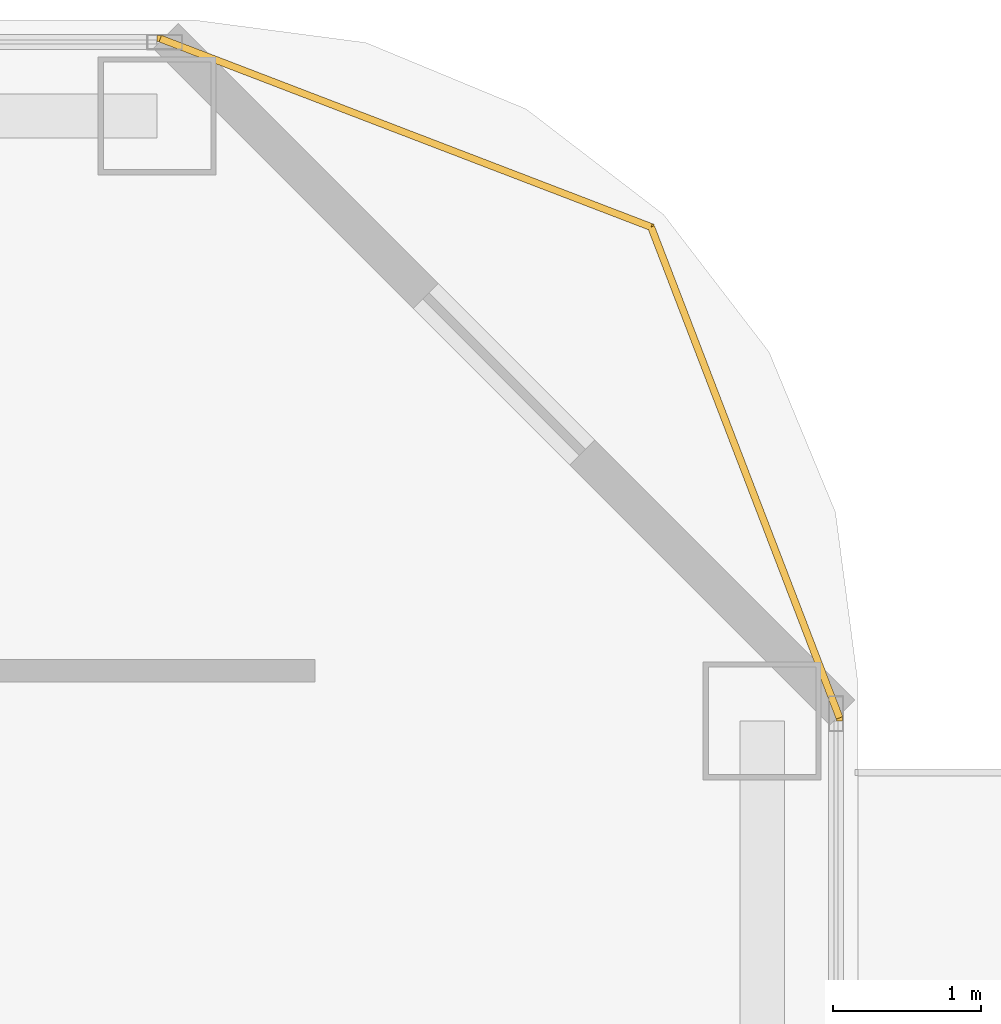
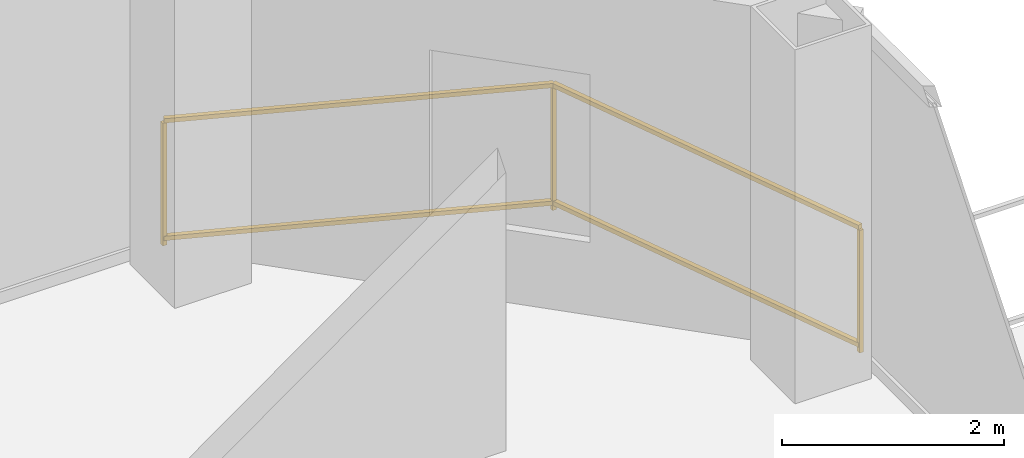
# One storey, part 29 of 29: 1 railing.
"""IFC4 building model written with IfcOpenShell, lengths in metres."""

from ifc_helpers import new_model, si_unit, direction, frame, origin, origin_2d, place, context, subcontext, project, spatial, rectangle, extrude, material, type_object, element, save


model = new_model("IFC4")

# Units and contexts
model_context = context("Model", 3, precision=1e-05, world=origin(), true_north=direction((0.0, 1.0)))
body_context = subcontext(model_context, "Body", "Model", "MODEL_VIEW")
ifc_project = project(units=[si_unit("LENGTHUNIT", "METRE"), si_unit("AREAUNIT", "SQUARE_METRE"), si_unit("VOLUMEUNIT", "CUBIC_METRE"), si_unit("PLANEANGLEUNIT", "RADIAN"), si_unit("MASSUNIT", "GRAM", prefix="KILO")], contexts=[model_context])

# Site, building, storey
site_placement = place(None, origin())
site = spatial("IfcSite", under=ifc_project, at=site_placement, CompositionType="ELEMENT")
building_placement = place(site_placement, origin())
building = spatial("IfcBuilding", under=site, at=building_placement, Name="Khorvyn Point Tower", CompositionType="ELEMENT")
storey_placement = place(building_placement, frame((0.0, 0.0, 85.199951171875)))
storey = spatial("IfcBuildingStorey", under=building, at=storey_placement, Name="L21", CompositionType="ELEMENT", Elevation=85.199951171875)

# Railing
ifc_material = material(Name="Anodised aluminium 6063-T6 and laminated safety glass", Category="aluminium")
railing_type = type_object("IfcRailingType", Name="Laminated Glass and Aluminium Balcony Guardrail 1400", PredefinedType="BALUSTRADE", material=ifc_material)
railing_placement = place(storey_placement, frame((22.174072265625, 26.270751953125, 0.0)))
element("IfcRailing", 1, at=railing_placement, inside=storey, type_object=railing_type, Name="L21 Rounded Corner Edge Guardrail NE", PredefinedType="BALUSTRADE", context=body_context, shape_type="SweptSolid", body=[
    extrude(rectangle(XDim=0.048095703125, YDim=0.048095703125, at=origin_2d()), frame((0.0, 0.0, 1.3759765625), z_axis=(-0.358359142172, 0.933583807283, 0.0), x_axis=(-0.933583807283, -0.358359142172, 0.0)), (0.0, 0.0, 1.0), 3.56298828125),
    extrude(rectangle(XDim=0.048095703125, YDim=0.048095703125, at=origin_2d()), frame((0.0, 0.0, 0.080078125), z_axis=(-0.358359142172, 0.933583807283, 0.0), x_axis=(-0.933583807283, -0.358359142172, 0.0)), (0.0, 0.0, 1.0), 3.56298828125),
    extrude(rectangle(XDim=0.048095703125, YDim=0.048095703125, at=origin_2d()), frame((-1.27685546875, 3.326416015625, 1.3759765625), z_axis=(-0.933583807283, 0.358359142172, 0.0), x_axis=(-0.358359142172, -0.933583807283, 0.0)), (0.0, 0.0, 1.0), 3.56298828125),
    extrude(rectangle(XDim=0.048095703125, YDim=0.048095703125, at=origin_2d()), frame((-1.27685546875, 3.326416015625, 0.080078125), z_axis=(-0.933583807283, 0.358359142172, 0.0), x_axis=(-0.358359142172, -0.933583807283, 0.0)), (0.0, 0.0, 1.0), 3.56298828125),
    extrude(rectangle(XDim=0.0419921875, YDim=0.0419921875, at=origin_2d()), origin(), (0.0, 0.0, 1.0), 1.351806640625),
    extrude(rectangle(XDim=0.0419921875, YDim=0.0419921875, at=origin_2d()), frame((-1.27685546875, 3.326416015625, 0.0)), (0.0, 0.0, 1.0), 1.351806640625),
    extrude(rectangle(XDim=0.0419921875, YDim=0.0419921875, at=origin_2d()), frame((-4.603271484375, 4.603271484375, 0.0)), (0.0, 0.0, 1.0), 1.351806640625),
])

save(model, "model.ifc")
